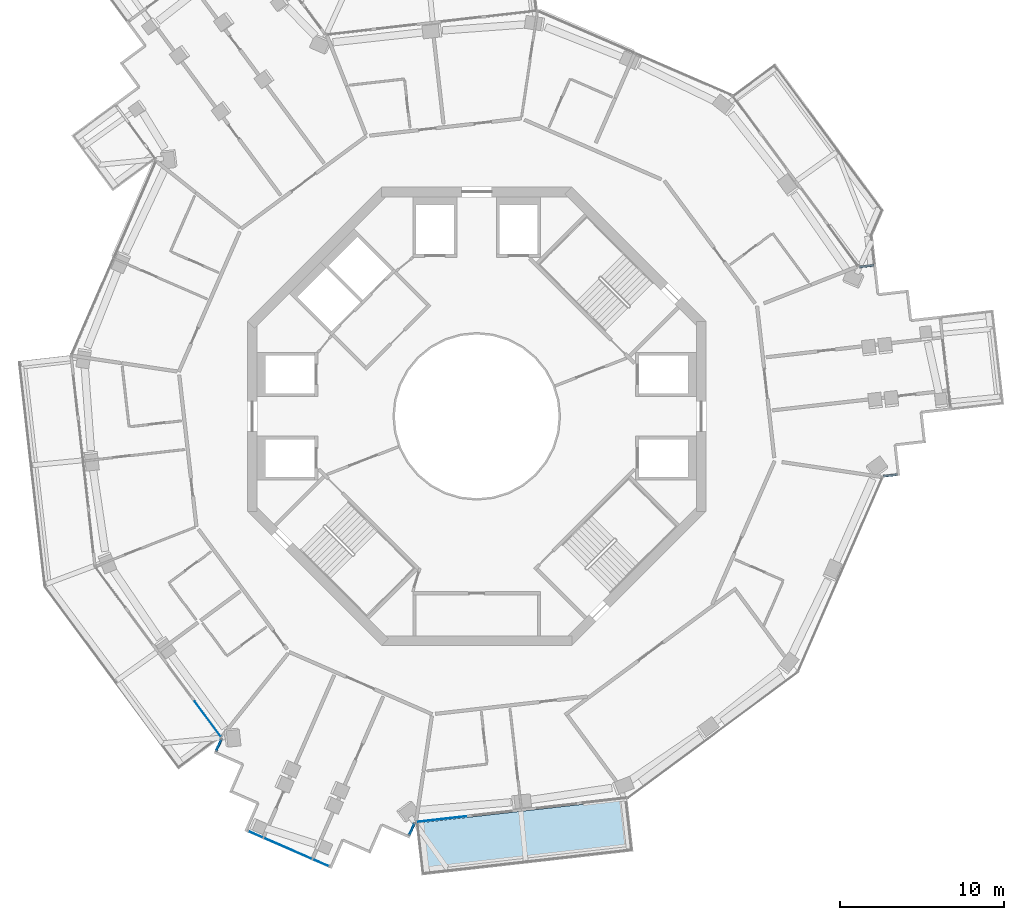
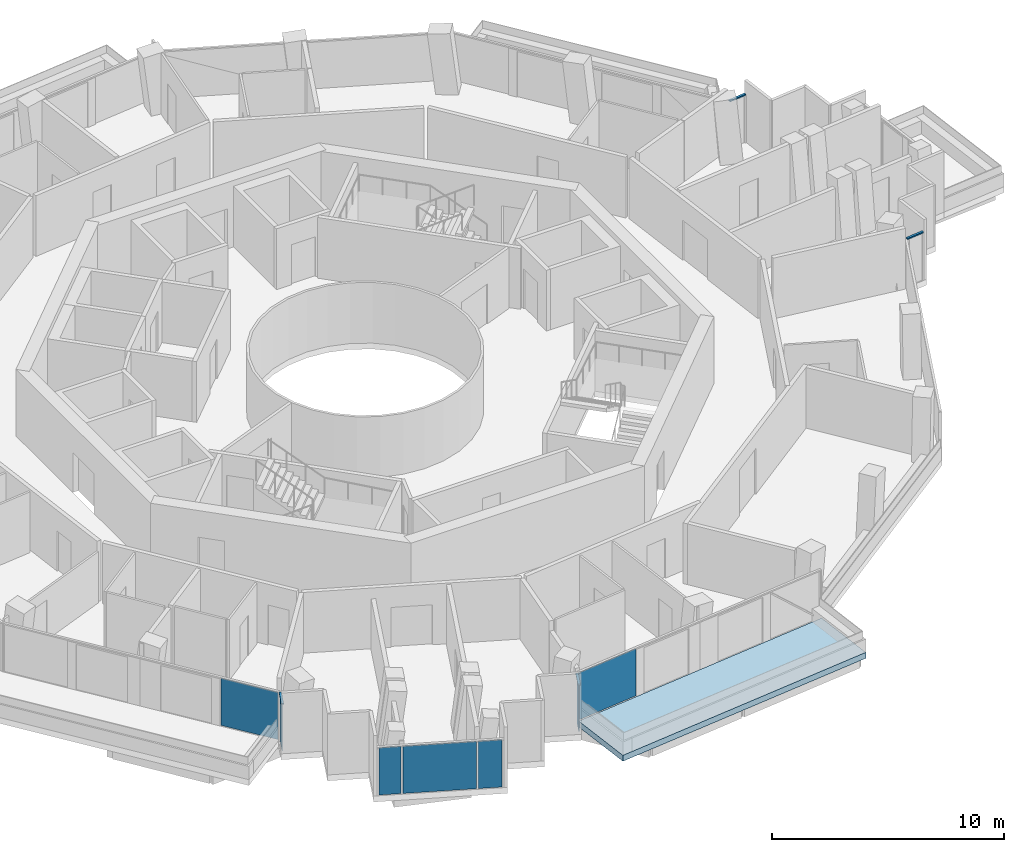
# One storey, part 11 of 23: 7 plates, 4 members, 1 slab, 7 elements without a shape of their own.
"""IFC4 building model written with IfcOpenShell, lengths in metres."""

from ifc_helpers import new_model, si_unit, direction, frame, origin, origin_2d, place, context, subcontext, project, spatial, polyline, rectangle, outline, extrude, material, layer, layer_set, material_profile, profile_set, type_object, element, aggregate, save


model = new_model("IFC4")

# Units and contexts
model_context = context("Model", 3, precision=1e-05, world=origin(), true_north=direction((0.0, 1.0)))
body_context = subcontext(model_context, "Body", "Model", "MODEL_VIEW")
ifc_project = project(units=[si_unit("LENGTHUNIT", "METRE"), si_unit("AREAUNIT", "SQUARE_METRE"), si_unit("VOLUMEUNIT", "CUBIC_METRE"), si_unit("PLANEANGLEUNIT", "RADIAN"), si_unit("MASSUNIT", "GRAM", prefix="KILO")], contexts=[model_context])

# Site, building, storey
site_placement = place(None, origin())
site = spatial("IfcSite", under=ifc_project, at=site_placement, CompositionType="ELEMENT")
building_placement = place(site_placement, origin())
building = spatial("IfcBuilding", under=site, at=building_placement, Name="Verdalira Terraces Hotel", CompositionType="ELEMENT")
storey_placement = place(building_placement, frame((0.0, 0.0, 183.5)))
storey = spatial("IfcBuildingStorey", under=building, at=storey_placement, Name="L44", CompositionType="ELEMENT", Elevation=183.5)

# Curtain wall, member
ifc_material_1 = material(Name="Clear glass", Category="glass")
ifc_layer_1 = layer(ifc_material_1, 0.14990234375)
ifc_layer_set_1 = layer_set([ifc_layer_1], Name="CW2 curtain wall")
curtain_wall_type_1 = type_object("IfcCurtainWallType", Name="CW2 curtain wall", PredefinedType="NOTDEFINED", material=ifc_layer_set_1)
curtain_wall_1_placement = place(storey_placement, origin())
curtain_wall_1 = element("IfcCurtainWall", 1, at=curtain_wall_1_placement, inside=storey, type_object=curtain_wall_type_1, Name="CW2 curtain wall L44 edge 14", PredefinedType="NOTDEFINED")
ifc_material_2 = material(Name="Terracotta frame", Category="masonry")
ifc_material_profile = material_profile(ifc_material_2, rectangle(XDim=0.11499, YDim=0.064941, at=origin_2d()), Name="TR 65x115")
ifc_profile_set = profile_set([ifc_material_profile], Name="Terracotta frame")
member_type = type_object("IfcMemberType", Name="CW2 transom 65x115", PredefinedType="USERDEFINED", material=ifc_profile_set)
member_1_placement = place(storey_placement, frame((-15.572021, -19.678955, 2.507568), z_axis=(-0.399009703, -0.916946704, 0.0), x_axis=(0.916946704, -0.399009703, 0.0)))
member_1 = element("IfcMember", 2, at=member_1_placement, type_object=member_type, Name="CW2 transom", ObjectType="TRANSOM", PredefinedType="USERDEFINED", context=body_context, shape_type="SweptSolid", body=[
    extrude(rectangle(XDim=0.11499, YDim=0.064941, at=origin_2d()), origin(), (0.0, 0.0, 1.0), 0.849854),
])

curtain_wall_2_placement = place(storey_placement, origin())
curtain_wall_2 = element("IfcCurtainWall", 3, at=curtain_wall_2_placement, inside=storey, type_object=curtain_wall_type_1, Name="CW2 curtain wall L44 edge 24", PredefinedType="NOTDEFINED")
member_2_placement = place(storey_placement, frame((-4.128662, -25.586426, 2.507568), z_axis=(0.398904626, 0.91699242, 0.0), x_axis=(-0.91699242, 0.398904626, 0.0)))
member_2 = element("IfcMember", 4, at=member_2_placement, type_object=member_type, Name="CW2 transom", ObjectType="TRANSOM", PredefinedType="USERDEFINED", context=body_context, shape_type="SweptSolid", body=[
    extrude(rectangle(XDim=0.11499, YDim=0.064941, at=origin_2d()), origin(), (0.0, 0.0, 1.0), 0.850098),
])

curtain_wall_3_placement = place(storey_placement, origin())
curtain_wall_3 = element("IfcCurtainWall", 5, at=curtain_wall_3_placement, inside=storey, type_object=curtain_wall_type_1, Name="CW2 curtain wall L44 edge 28", PredefinedType="NOTDEFINED")
member_3_placement = place(storey_placement, frame((24.828369, -3.64624, 2.507568), z_axis=(0.993611111, 0.112858141, 0.0), x_axis=(-0.112858141, 0.993611111, 0.0)))
member_3 = element("IfcMember", 6, at=member_3_placement, type_object=member_type, Name="CW2 transom", ObjectType="TRANSOM", PredefinedType="USERDEFINED", context=body_context, shape_type="SweptSolid", body=[
    extrude(rectangle(XDim=0.11499, YDim=0.064941, at=origin_2d()), origin(), (0.0, 0.0, 1.0), 0.850098),
])
aggregate(curtain_wall_3, [member_3])

curtain_wall_4_placement = place(storey_placement, origin())
curtain_wall_4 = element("IfcCurtainWall", 7, at=curtain_wall_4_placement, inside=storey, type_object=curtain_wall_type_1, Name="CW2 curtain wall L44 edge 38", PredefinedType="NOTDEFINED")
member_4_placement = place(storey_placement, frame((24.2229, 9.217529, 2.507568), z_axis=(-0.993611111, -0.112858141, 0.0), x_axis=(0.112858141, -0.993611111, 0.0)))
member_4 = element("IfcMember", 8, at=member_4_placement, type_object=member_type, Name="CW2 transom", ObjectType="TRANSOM", PredefinedType="USERDEFINED", context=body_context, shape_type="SweptSolid", body=[
    extrude(rectangle(XDim=0.11499, YDim=0.064941, at=origin_2d()), origin(), (0.0, 0.0, 1.0), 0.850098),
])
aggregate(curtain_wall_4, [member_4])

# Slab
ifc_material_3 = material(Name="Precast concrete C40/50", Category="concrete")
ifc_layer_2 = layer(ifc_material_3, 0.31005859375)
ifc_layer_set_2 = layer_set([ifc_layer_2], Name="Balcony deck 310")
slab_type = type_object("IfcSlabType", Name="Balcony deck 310", PredefinedType="FLOOR", material=ifc_layer_set_2)
slab_placement = place(storey_placement, frame((0.0, 0.0, -0.310059)))
element("IfcSlab", 9, at=slab_placement, inside=storey, type_object=slab_type, Name="Balcony deck", PredefinedType="FLOOR", context=body_context, shape_type="SweptSolid", body=[
    extrude(outline(polyline([(9.557373, -26.549316), (9.196289, -23.369873), (-3.720703, -24.836914), (-3.359619, -28.016357), (9.557373, -26.549316)])), origin(), (0.0, 0.0, 1.0), 0.310059),
])

# Curtain wall, plate
ifc_material_4 = material(Name="Clear glass", Category="glass")
ifc_layer_3 = layer(ifc_material_4, 0.14990234375)
ifc_layer_set_3 = layer_set([ifc_layer_3], Name="CW1 curtain wall")
curtain_wall_type_2 = type_object("IfcCurtainWallType", Name="CW1 curtain wall", PredefinedType="NOTDEFINED", material=ifc_layer_set_3)
curtain_wall_5_placement = place(storey_placement, origin())
curtain_wall_5 = element("IfcCurtainWall", 10, at=curtain_wall_5_placement, inside=storey, type_object=curtain_wall_type_2, Name="CW1 curtain wall L44 edge 13", PredefinedType="NOTDEFINED")
ifc_material_5 = material(Name="Clear glass", Category="glass")
ifc_layer_4 = layer(ifc_material_5, 0.028076171875)
ifc_layer_set_4 = layer_set([ifc_layer_4], Name="CW1 glass unit 28")
plate_type_1 = type_object("IfcPlateType", Name="CW1 glass unit 28", PredefinedType="CURTAIN_PANEL", material=ifc_layer_set_4)
plate_1_placement = place(storey_placement, frame((-16.412354, -18.479248, 0.0), z_axis=(0.0, 0.0, 1.0), x_axis=(0.594542152, -0.804064444, 0.0)))
plate_1 = element("IfcPlate", 11, at=plate_1_placement, type_object=plate_type_1, Name="CW1 glass unit", PredefinedType="CURTAIN_PANEL", context=body_context, shape_type="SweptSolid", body=[
    extrude(rectangle(XDim=2.678711, YDim=0.028076, at=origin_2d()), origin(), (0.0, 0.0, 1.0), 2.475098),
])
aggregate(curtain_wall_5, [plate_1])

curtain_wall_6_placement = place(storey_placement, origin())
curtain_wall_6 = element("IfcCurtainWall", 12, at=curtain_wall_6_placement, inside=storey, type_object=curtain_wall_type_2, Name="CW1 curtain wall L44 edge 25", PredefinedType="NOTDEFINED")
plate_2_placement = place(storey_placement, frame((-2.159424, -24.583984, 0.0), z_axis=(0.0, 0.0, 1.0), x_axis=(0.993611311, 0.112856385, 0.0)))
plate_2 = element("IfcPlate", 13, at=plate_2_placement, type_object=plate_type_1, Name="CW1 glass unit", PredefinedType="CURTAIN_PANEL", context=body_context, shape_type="SweptSolid", body=[
    extrude(rectangle(XDim=3.040039, YDim=0.028076, at=origin_2d()), origin(), (0.0, 0.0, 1.0), 2.475098),
])
aggregate(curtain_wall_6, [plate_2])

# Plate
ifc_material_6 = material(Name="Clear glass", Category="glass")
ifc_layer_5 = layer(ifc_material_6, 0.031982421875)
ifc_layer_set_5 = layer_set([ifc_layer_5], Name="CW2 glass unit 32")
plate_type_2 = type_object("IfcPlateType", Name="CW2 glass unit 32", PredefinedType="CURTAIN_PANEL", material=ifc_layer_set_5)
plate_3_placement = place(storey_placement, frame((-15.741455, -20.068604, 0.0), z_axis=(0.0, 0.0, 1.0), x_axis=(-0.399069159, -0.916920829, 0.0)))
plate_3 = element("IfcPlate", 14, at=plate_3_placement, type_object=plate_type_2, Name="CW2 glass unit", PredefinedType="CURTAIN_PANEL", context=body_context, shape_type="SweptSolid", body=[
    extrude(rectangle(XDim=0.709961, YDim=0.031982, at=origin_2d()), origin(), (0.0, 0.0, 1.0), 2.475098),
])

aggregate(curtain_wall_1, [member_1, plate_3])

plate_4_placement = place(storey_placement, frame((-3.959229, -25.196777, 0.0), z_axis=(0.0, 0.0, 1.0), x_axis=(0.399069159, 0.916920829, 0.0)))
plate_4 = element("IfcPlate", 15, at=plate_4_placement, type_object=plate_type_2, Name="CW2 glass unit", PredefinedType="CURTAIN_PANEL", context=body_context, shape_type="SweptSolid", body=[
    extrude(rectangle(XDim=0.709961, YDim=0.031982, at=origin_2d()), origin(), (0.0, 0.0, 1.0), 2.475098),
])

aggregate(curtain_wall_2, [member_2, plate_4])

# Curtain wall, plates
ifc_material_7 = material(Name="Clear glass", Category="glass")
ifc_layer_6 = layer(ifc_material_7, 0.14990234375)
ifc_layer_set_6 = layer_set([ifc_layer_6], Name="CW3 curtain wall")
curtain_wall_type_3 = type_object("IfcCurtainWallType", Name="CW3 curtain wall", PredefinedType="NOTDEFINED", material=ifc_layer_set_6)
curtain_wall_7_placement = place(storey_placement, origin())
curtain_wall_7 = element("IfcCurtainWall", 16, at=curtain_wall_7_placement, inside=storey, type_object=curtain_wall_type_3, Name="CW3 curtain wall L44 edge 19", PredefinedType="NOTDEFINED")
ifc_material_8 = material(Name="Clear glass", Category="glass")
ifc_layer_7 = layer(ifc_material_8, 0.035888671875)
ifc_layer_set_7 = layer_set([ifc_layer_7], Name="CW3 glass unit 36")
plate_type_3 = type_object("IfcPlateType", Name="CW3 glass unit 36", PredefinedType="CURTAIN_PANEL", material=ifc_layer_set_7)
plate_5_placement = place(storey_placement, frame((-13.49707, -25.516846, 0.0), z_axis=(0.0, 0.0, 1.0), x_axis=(0.916920829, -0.399069159, 0.0)))
plate_5 = element("IfcPlate", 17, at=plate_5_placement, type_object=plate_type_3, Name="CW3 glass unit", PredefinedType="CURTAIN_PANEL", context=body_context, shape_type="SweptSolid", body=[
    extrude(rectangle(XDim=0.954346, YDim=0.035889, at=origin_2d()), origin(), (0.0, 0.0, 1.0), 2.475098),
])
plate_6_placement = place(storey_placement, frame((-11.526367, -26.374756, 0.0), z_axis=(0.0, 0.0, 1.0), x_axis=(0.916920829, -0.399069159, 0.0)))
plate_6 = element("IfcPlate", 18, at=plate_6_placement, type_object=plate_type_3, Name="CW3 glass unit", PredefinedType="CURTAIN_PANEL", context=body_context, shape_type="SweptSolid", body=[
    extrude(rectangle(XDim=3.18457, YDim=0.035889, at=origin_2d()), origin(), (0.0, 0.0, 1.0), 2.475098),
])
plate_7_placement = place(storey_placement, frame((-9.515625, -27.249756, 0.0), z_axis=(0.0, 0.0, 1.0), x_axis=(0.916920829, -0.399069159, 0.0)))
plate_7 = element("IfcPlate", 19, at=plate_7_placement, type_object=plate_type_3, Name="CW3 glass unit", PredefinedType="CURTAIN_PANEL", context=body_context, shape_type="SweptSolid", body=[
    extrude(rectangle(XDim=1.041016, YDim=0.035889, at=origin_2d()), origin(), (0.0, 0.0, 1.0), 2.475098),
])
aggregate(curtain_wall_7, [plate_5, plate_6, plate_7])

save(model, "model.ifc")
